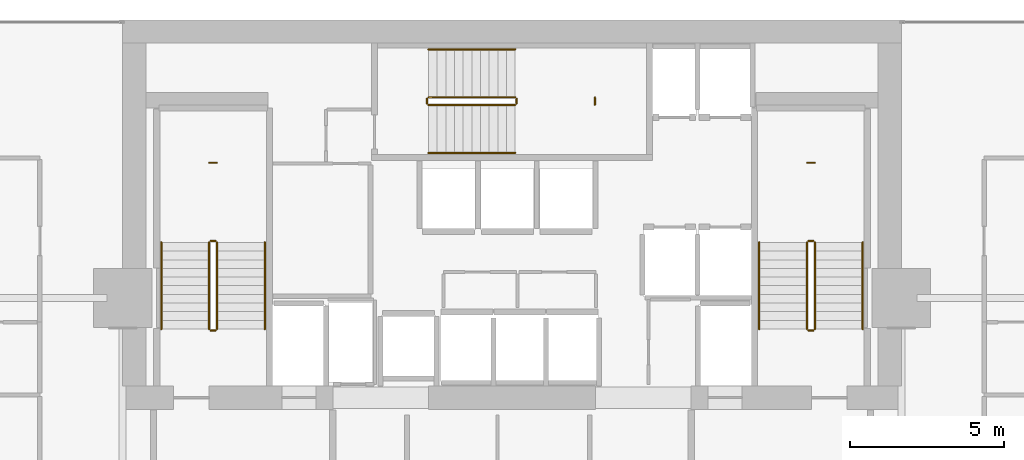
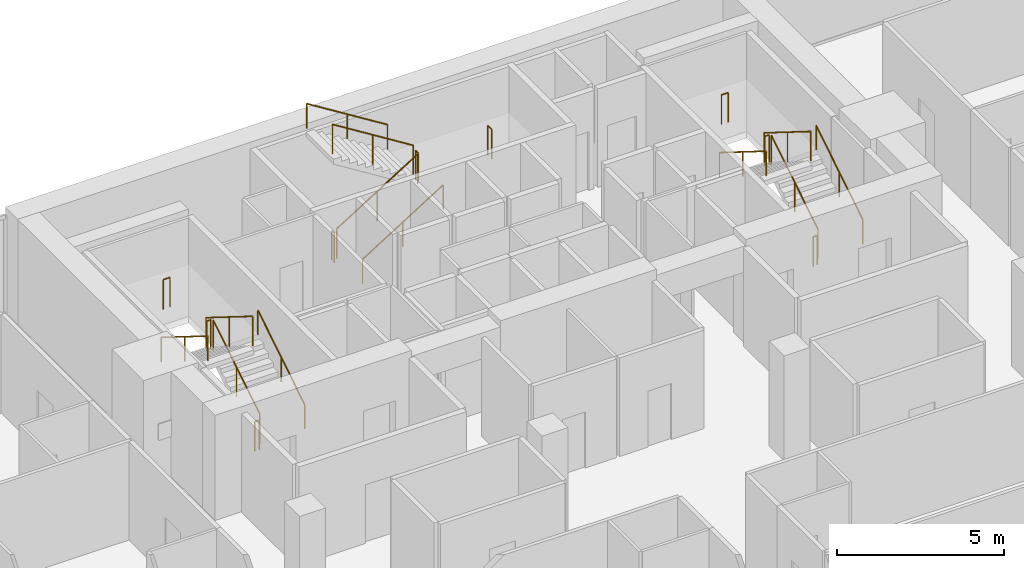
# One storey, part 34 of 34: 21 railings.
"""IFC4 building model written with IfcOpenShell, lengths in metres."""

from ifc_helpers import new_model, si_unit, direction, frame, origin, origin_2d, place, context, subcontext, project, spatial, circle, extrude, material, type_object, element, save


model = new_model("IFC4")

# Units and contexts
model_context = context("Model", 3, precision=1e-05, world=origin(), true_north=direction((0.0, 1.0)))
body_context = subcontext(model_context, "Body", "Model", "MODEL_VIEW")
ifc_project = project(units=[si_unit("LENGTHUNIT", "METRE"), si_unit("AREAUNIT", "SQUARE_METRE"), si_unit("VOLUMEUNIT", "CUBIC_METRE"), si_unit("PLANEANGLEUNIT", "RADIAN"), si_unit("MASSUNIT", "GRAM", prefix="KILO")], contexts=[model_context])

# Site, building, storey
site_placement = place(None, origin())
site = spatial("IfcSite", under=ifc_project, at=site_placement, CompositionType="ELEMENT")
building_placement = place(site_placement, origin())
building = spatial("IfcBuilding", under=site, at=building_placement, Name="Maruvema Waterfront Hotel and Observation Tower", CompositionType="ELEMENT")
storey_placement = place(building_placement, frame((0.0, 0.0, 146.64990234375)))
storey = spatial("IfcBuildingStorey", under=building, at=storey_placement, Name="L35", CompositionType="ELEMENT", Elevation=146.64990234375)

# Railings
ifc_material_1 = material(Name="Brushed stainless steel Grade 316", Category="steel")
railing_type_1 = type_object("IfcRailingType", Name="Ramp Continuous Wall Handrail 920 mm", PredefinedType="HANDRAIL", material=ifc_material_1)
railing_1_placement = place(storey_placement, frame((29.800048828125, 44.0, 0.175048828125)))
element("IfcRailing", 1, at=railing_1_placement, inside=storey, type_object=railing_type_1, Name="L35 ST-01 stair handrail 1", PredefinedType="HANDRAIL", context=body_context, shape_type="SweptSolid", body=[
    extrude(circle(Radius=0.02392578125, at=origin_2d()), frame((0.0, 0.0, 0.89599609375), z_axis=(0.0, 0.848002457836, 0.529992293815), x_axis=(-1.0, 0.0, 0.0)), (0.0, 0.0, 1.0), 3.302001953125),
    extrude(circle(Radius=0.02099609375, at=origin_2d()), origin(), (0.0, 0.0, 1.0), 0.871826171875),
    extrude(circle(Radius=0.02099609375, at=origin_2d()), frame((0.0, 1.39990234375, 0.875)), (0.0, 0.0, 1.0), 0.871826171875),
    extrude(circle(Radius=0.02099609375, at=origin_2d()), frame((0.0, 2.800048828125, 1.75)), (0.0, 0.0, 1.0), 0.871826171875),
])
railing_2_placement = place(storey_placement, frame((26.449951171875, 46.800048828125, 2.10009765625)))
element("IfcRailing", 2, at=railing_2_placement, inside=storey, type_object=railing_type_1, Name="L35 ST-01 stair handrail 2", PredefinedType="HANDRAIL", context=body_context, shape_type="SweptSolid", body=[
    extrude(circle(Radius=0.02392578125, at=origin_2d()), frame((0.0, 0.0, 0.89599609375), z_axis=(0.0, -0.848002457836, 0.529992293815), x_axis=(1.0, 0.0, 0.0)), (0.0, 0.0, 1.0), 3.302001953125),
    extrude(circle(Radius=0.02099609375, at=origin_2d()), origin(), (0.0, 0.0, 1.0), 0.871826171875),
    extrude(circle(Radius=0.02099609375, at=origin_2d()), frame((0.0, -1.39990234375, 0.875)), (0.0, 0.0, 1.0), 0.871826171875),
    extrude(circle(Radius=0.02099609375, at=origin_2d()), frame((0.0, -2.800048828125, 1.75)), (0.0, 0.0, 1.0), 0.871826171875),
])
railing_3_placement = place(storey_placement, frame((35.10009765625, 49.699951171875, 0.175048828125)))
element("IfcRailing", 3, at=railing_3_placement, inside=storey, type_object=railing_type_1, Name="L35 ST-02 stair handrail 1", PredefinedType="HANDRAIL", context=body_context, shape_type="SweptSolid", body=[
    extrude(circle(Radius=0.02392578125, at=origin_2d()), frame((0.0, 0.0, 0.89599609375), z_axis=(0.847981687118, 0.0, 0.530025526095), x_axis=(0.0, 1.0, 0.0)), (0.0, 0.0, 1.0), 3.3017578125),
    extrude(circle(Radius=0.02099609375, at=origin_2d()), origin(), (0.0, 0.0, 1.0), 0.871826171875),
    extrude(circle(Radius=0.02099609375, at=origin_2d()), frame((1.39990234375, 0.0, 0.875)), (0.0, 0.0, 1.0), 0.871826171875),
    extrude(circle(Radius=0.02099609375, at=origin_2d()), frame((2.7998046875, 0.0, 1.75)), (0.0, 0.0, 1.0), 0.871826171875),
])
railing_4_placement = place(storey_placement, frame((37.89990234375, 53.050048828125, 2.10009765625)))
element("IfcRailing", 4, at=railing_4_placement, inside=storey, type_object=railing_type_1, Name="L35 ST-02 stair handrail 2", PredefinedType="HANDRAIL", context=body_context, shape_type="SweptSolid", body=[
    extrude(circle(Radius=0.02392578125, at=origin_2d()), frame((0.0, 0.0, 0.89599609375), z_axis=(-0.847981687118, 0.0, 0.530025526095), x_axis=(0.0, -1.0, 0.0)), (0.0, 0.0, 1.0), 3.3017578125),
    extrude(circle(Radius=0.02099609375, at=origin_2d()), origin(), (0.0, 0.0, 1.0), 0.871826171875),
    extrude(circle(Radius=0.02099609375, at=origin_2d()), frame((-1.39990234375, 0.0, 0.875)), (0.0, 0.0, 1.0), 0.871826171875),
    extrude(circle(Radius=0.02099609375, at=origin_2d()), frame((-2.7998046875, 0.0, 1.75)), (0.0, 0.0, 1.0), 0.871826171875),
])
railing_5_placement = place(storey_placement, frame((49.14990234375, 44.0, 0.175048828125)))
element("IfcRailing", 5, at=railing_5_placement, inside=storey, type_object=railing_type_1, Name="L35 ST-03 stair handrail 1", PredefinedType="HANDRAIL", context=body_context, shape_type="SweptSolid", body=[
    extrude(circle(Radius=0.02392578125, at=origin_2d()), frame((0.0, 0.0, 0.89599609375), z_axis=(0.0, 0.848002457836, 0.529992293815), x_axis=(-1.0, 0.0, 0.0)), (0.0, 0.0, 1.0), 3.302001953125),
    extrude(circle(Radius=0.02099609375, at=origin_2d()), origin(), (0.0, 0.0, 1.0), 0.871826171875),
    extrude(circle(Radius=0.02099609375, at=origin_2d()), frame((0.0, 1.39990234375, 0.875)), (0.0, 0.0, 1.0), 0.871826171875),
    extrude(circle(Radius=0.02099609375, at=origin_2d()), frame((0.0, 2.800048828125, 1.75)), (0.0, 0.0, 1.0), 0.871826171875),
])
railing_6_placement = place(storey_placement, frame((45.800048828125, 46.800048828125, 2.10009765625)))
element("IfcRailing", 6, at=railing_6_placement, inside=storey, type_object=railing_type_1, Name="L35 ST-03 stair handrail 2", PredefinedType="HANDRAIL", context=body_context, shape_type="SweptSolid", body=[
    extrude(circle(Radius=0.02392578125, at=origin_2d()), frame((0.0, 0.0, 0.89599609375), z_axis=(0.0, -0.848002457836, 0.529992293815), x_axis=(1.0, 0.0, 0.0)), (0.0, 0.0, 1.0), 3.302001953125),
    extrude(circle(Radius=0.02099609375, at=origin_2d()), origin(), (0.0, 0.0, 1.0), 0.871826171875),
    extrude(circle(Radius=0.02099609375, at=origin_2d()), frame((0.0, -1.39990234375, 0.875)), (0.0, 0.0, 1.0), 0.871826171875),
    extrude(circle(Radius=0.02099609375, at=origin_2d()), frame((0.0, -2.800048828125, 1.75)), (0.0, 0.0, 1.0), 0.871826171875),
])
ifc_material_2 = material(Name="Brushed stainless steel Grade 316", Category="steel")
railing_type_2 = type_object("IfcRailingType", Name="Ramp and Terrace Guard Balustrade 1100 mm", PredefinedType="BALUSTRADE", material=ifc_material_2)
railing_7_placement = place(storey_placement, frame((28.25, 44.0, 0.175048828125)))
element("IfcRailing", 7, at=railing_7_placement, inside=storey, type_object=railing_type_2, Name="L35 ST-01 stair guard 1", PredefinedType="BALUSTRADE", context=body_context, shape_type="SweptSolid", body=[
    extrude(circle(Radius=0.02392578125, at=origin_2d()), frame((0.0, 0.0, 1.076171875), z_axis=(0.0, 0.848002457836, 0.529992293815), x_axis=(-1.0, 0.0, 0.0)), (0.0, 0.0, 1.0), 3.302001953125),
    extrude(circle(Radius=0.02099609375, at=origin_2d()), origin(), (0.0, 0.0, 1.0), 1.052001953125),
    extrude(circle(Radius=0.02099609375, at=origin_2d()), frame((0.0, 1.39990234375, 0.875)), (0.0, 0.0, 1.0), 1.052001953125),
    extrude(circle(Radius=0.02099609375, at=origin_2d()), frame((0.0, 2.800048828125, 1.75)), (0.0, 0.0, 1.0), 1.052001953125),
])
railing_8_placement = place(storey_placement, frame((28.199951171875, 46.85009765625, 1.925048828125)))
element("IfcRailing", 8, at=railing_8_placement, inside=storey, type_object=railing_type_2, Name="L35 ST-01 stair guard 2", PredefinedType="BALUSTRADE", context=body_context, shape_type="SweptSolid", body=[
    extrude(circle(Radius=0.02392578125, at=origin_2d()), frame((0.0, 0.0, 1.076171875), z_axis=(-1.0, 0.0, 0.0), x_axis=(0.0, -1.0, 0.0)), (0.0, 0.0, 1.0), 0.14990234375),
    extrude(circle(Radius=0.02099609375, at=origin_2d()), origin(), (0.0, 0.0, 1.0), 1.052001953125),
    extrude(circle(Radius=0.02099609375, at=origin_2d()), frame((-0.14990234375, 0.0, 0.0)), (0.0, 0.0, 1.0), 1.052001953125),
])
railing_9_placement = place(storey_placement, frame((28.0, 46.800048828125, 2.10009765625)))
element("IfcRailing", 9, at=railing_9_placement, inside=storey, type_object=railing_type_2, Name="L35 ST-01 stair guard 3", PredefinedType="BALUSTRADE", context=body_context, shape_type="SweptSolid", body=[
    extrude(circle(Radius=0.02392578125, at=origin_2d()), frame((0.0, 0.0, 1.076171875), z_axis=(0.0, -0.848002457836, 0.529992293815), x_axis=(1.0, 0.0, 0.0)), (0.0, 0.0, 1.0), 3.302001953125),
    extrude(circle(Radius=0.02099609375, at=origin_2d()), origin(), (0.0, 0.0, 1.0), 1.052001953125),
    extrude(circle(Radius=0.02099609375, at=origin_2d()), frame((0.0, -1.39990234375, 0.875)), (0.0, 0.0, 1.0), 1.052001953125),
    extrude(circle(Radius=0.02099609375, at=origin_2d()), frame((0.0, -2.800048828125, 1.75)), (0.0, 0.0, 1.0), 1.052001953125),
])
railing_10_placement = place(storey_placement, frame((28.199951171875, 43.949951171875, 0.0)))
element("IfcRailing", 10, at=railing_10_placement, inside=storey, type_object=railing_type_2, Name="L35 ST-01 stair guard 4", PredefinedType="BALUSTRADE", context=body_context, shape_type="SweptSolid", body=[
    extrude(circle(Radius=0.02392578125, at=origin_2d()), frame((0.0, 0.0, 1.076171875), z_axis=(-1.0, 0.0, 0.0), x_axis=(0.0, -1.0, 0.0)), (0.0, 0.0, 1.0), 0.14990234375),
    extrude(circle(Radius=0.02099609375, at=origin_2d()), origin(), (0.0, 0.0, 1.0), 1.052001953125),
    extrude(circle(Radius=0.02099609375, at=origin_2d()), frame((-0.14990234375, 0.0, 0.0)), (0.0, 0.0, 1.0), 1.052001953125),
])
railing_11_placement = place(storey_placement, frame((28.239990234375, 49.3798828125, 1.925048828125)))
element("IfcRailing", 11, at=railing_11_placement, inside=storey, type_object=railing_type_2, Name="L35 ST-01 Half-Landing Slot Guard", PredefinedType="BALUSTRADE", context=body_context, shape_type="SweptSolid", body=[
    extrude(circle(Radius=0.02392578125, at=origin_2d()), frame((0.0, 0.0, 1.076171875), z_axis=(-1.0, 0.0, 0.0), x_axis=(0.0, -1.0, 0.0)), (0.0, 0.0, 1.0), 0.22998046875),
    extrude(circle(Radius=0.02099609375, at=origin_2d()), origin(), (0.0, 0.0, 1.0), 1.052001953125),
    extrude(circle(Radius=0.02099609375, at=origin_2d()), frame((-0.22998046875, 0.0, 0.0)), (0.0, 0.0, 1.0), 1.052001953125),
])
railing_12_placement = place(storey_placement, frame((35.10009765625, 51.25, 0.175048828125)))
element("IfcRailing", 12, at=railing_12_placement, inside=storey, type_object=railing_type_2, Name="L35 ST-02 stair guard 1", PredefinedType="BALUSTRADE", context=body_context, shape_type="SweptSolid", body=[
    extrude(circle(Radius=0.02392578125, at=origin_2d()), frame((0.0, 0.0, 1.076171875), z_axis=(0.847981687118, 0.0, 0.530025526095), x_axis=(0.0, 1.0, 0.0)), (0.0, 0.0, 1.0), 3.3017578125),
    extrude(circle(Radius=0.02099609375, at=origin_2d()), origin(), (0.0, 0.0, 1.0), 1.052001953125),
    extrude(circle(Radius=0.02099609375, at=origin_2d()), frame((1.39990234375, 0.0, 0.875)), (0.0, 0.0, 1.0), 1.052001953125),
    extrude(circle(Radius=0.02099609375, at=origin_2d()), frame((2.7998046875, 0.0, 1.75)), (0.0, 0.0, 1.0), 1.052001953125),
])
railing_13_placement = place(storey_placement, frame((37.949951171875, 51.300048828125, 1.925048828125)))
element("IfcRailing", 13, at=railing_13_placement, inside=storey, type_object=railing_type_2, Name="L35 ST-02 stair guard 2", PredefinedType="BALUSTRADE", context=body_context, shape_type="SweptSolid", body=[
    extrude(circle(Radius=0.02392578125, at=origin_2d()), frame((0.0, 0.0, 1.076171875), z_axis=(0.0, 1.0, 0.0), x_axis=(-1.0, 0.0, 0.0)), (0.0, 0.0, 1.0), 0.14990234375),
    extrude(circle(Radius=0.02099609375, at=origin_2d()), origin(), (0.0, 0.0, 1.0), 1.052001953125),
    extrude(circle(Radius=0.02099609375, at=origin_2d()), frame((0.0, 0.14990234375, 0.0)), (0.0, 0.0, 1.0), 1.052001953125),
])
railing_14_placement = place(storey_placement, frame((37.89990234375, 51.5, 2.10009765625)))
element("IfcRailing", 14, at=railing_14_placement, inside=storey, type_object=railing_type_2, Name="L35 ST-02 stair guard 3", PredefinedType="BALUSTRADE", context=body_context, shape_type="SweptSolid", body=[
    extrude(circle(Radius=0.02392578125, at=origin_2d()), frame((0.0, 0.0, 1.076171875), z_axis=(-0.847981687118, 0.0, 0.530025526095), x_axis=(0.0, -1.0, 0.0)), (0.0, 0.0, 1.0), 3.3017578125),
    extrude(circle(Radius=0.02099609375, at=origin_2d()), origin(), (0.0, 0.0, 1.0), 1.052001953125),
    extrude(circle(Radius=0.02099609375, at=origin_2d()), frame((-1.39990234375, 0.0, 0.875)), (0.0, 0.0, 1.0), 1.052001953125),
    extrude(circle(Radius=0.02099609375, at=origin_2d()), frame((-2.7998046875, 0.0, 1.75)), (0.0, 0.0, 1.0), 1.052001953125),
])
railing_15_placement = place(storey_placement, frame((35.050048828125, 51.300048828125, 0.0)))
element("IfcRailing", 15, at=railing_15_placement, inside=storey, type_object=railing_type_2, Name="L35 ST-02 stair guard 4", PredefinedType="BALUSTRADE", context=body_context, shape_type="SweptSolid", body=[
    extrude(circle(Radius=0.02392578125, at=origin_2d()), frame((0.0, 0.0, 1.076171875), z_axis=(0.0, 1.0, 0.0), x_axis=(-1.0, 0.0, 0.0)), (0.0, 0.0, 1.0), 0.14990234375),
    extrude(circle(Radius=0.02099609375, at=origin_2d()), origin(), (0.0, 0.0, 1.0), 1.052001953125),
    extrude(circle(Radius=0.02099609375, at=origin_2d()), frame((0.0, 0.14990234375, 0.0)), (0.0, 0.0, 1.0), 1.052001953125),
])
railing_16_placement = place(storey_placement, frame((40.47998046875, 51.260009765625, 1.925048828125)))
element("IfcRailing", 16, at=railing_16_placement, inside=storey, type_object=railing_type_2, Name="L35 ST-02 Half-Landing Slot Guard", PredefinedType="BALUSTRADE", context=body_context, shape_type="SweptSolid", body=[
    extrude(circle(Radius=0.02392578125, at=origin_2d()), frame((0.0, 0.0, 1.076171875), z_axis=(0.0, 1.0, 0.0), x_axis=(-1.0, 0.0, 0.0)), (0.0, 0.0, 1.0), 0.22998046875),
    extrude(circle(Radius=0.02099609375, at=origin_2d()), origin(), (0.0, 0.0, 1.0), 1.052001953125),
    extrude(circle(Radius=0.02099609375, at=origin_2d()), frame((0.0, 0.22998046875, 0.0)), (0.0, 0.0, 1.0), 1.052001953125),
])
railing_17_placement = place(storey_placement, frame((47.60009765625, 44.0, 0.175048828125)))
element("IfcRailing", 17, at=railing_17_placement, inside=storey, type_object=railing_type_2, Name="L35 ST-03 stair guard 1", PredefinedType="BALUSTRADE", context=body_context, shape_type="SweptSolid", body=[
    extrude(circle(Radius=0.02392578125, at=origin_2d()), frame((0.0, 0.0, 1.076171875), z_axis=(0.0, 0.848002457836, 0.529992293815), x_axis=(-1.0, 0.0, 0.0)), (0.0, 0.0, 1.0), 3.302001953125),
    extrude(circle(Radius=0.02099609375, at=origin_2d()), origin(), (0.0, 0.0, 1.0), 1.052001953125),
    extrude(circle(Radius=0.02099609375, at=origin_2d()), frame((0.0, 1.39990234375, 0.875)), (0.0, 0.0, 1.0), 1.052001953125),
    extrude(circle(Radius=0.02099609375, at=origin_2d()), frame((0.0, 2.800048828125, 1.75)), (0.0, 0.0, 1.0), 1.052001953125),
])
railing_18_placement = place(storey_placement, frame((47.550048828125, 46.85009765625, 1.925048828125)))
element("IfcRailing", 18, at=railing_18_placement, inside=storey, type_object=railing_type_2, Name="L35 ST-03 stair guard 2", PredefinedType="BALUSTRADE", context=body_context, shape_type="SweptSolid", body=[
    extrude(circle(Radius=0.02392578125, at=origin_2d()), frame((0.0, 0.0, 1.076171875), z_axis=(-1.0, 0.0, 0.0), x_axis=(0.0, -1.0, 0.0)), (0.0, 0.0, 1.0), 0.150146484375),
    extrude(circle(Radius=0.02099609375, at=origin_2d()), origin(), (0.0, 0.0, 1.0), 1.052001953125),
    extrude(circle(Radius=0.02099609375, at=origin_2d()), frame((-0.150146484375, 0.0, 0.0)), (0.0, 0.0, 1.0), 1.052001953125),
])
railing_19_placement = place(storey_placement, frame((47.35009765625, 46.800048828125, 2.10009765625)))
element("IfcRailing", 19, at=railing_19_placement, inside=storey, type_object=railing_type_2, Name="L35 ST-03 stair guard 3", PredefinedType="BALUSTRADE", context=body_context, shape_type="SweptSolid", body=[
    extrude(circle(Radius=0.02392578125, at=origin_2d()), frame((0.0, 0.0, 1.076171875), z_axis=(0.0, -0.848002457836, 0.529992293815), x_axis=(1.0, 0.0, 0.0)), (0.0, 0.0, 1.0), 3.302001953125),
    extrude(circle(Radius=0.02099609375, at=origin_2d()), origin(), (0.0, 0.0, 1.0), 1.052001953125),
    extrude(circle(Radius=0.02099609375, at=origin_2d()), frame((0.0, -1.39990234375, 0.875)), (0.0, 0.0, 1.0), 1.052001953125),
    extrude(circle(Radius=0.02099609375, at=origin_2d()), frame((0.0, -2.800048828125, 1.75)), (0.0, 0.0, 1.0), 1.052001953125),
])
railing_20_placement = place(storey_placement, frame((47.550048828125, 43.949951171875, 0.0)))
element("IfcRailing", 20, at=railing_20_placement, inside=storey, type_object=railing_type_2, Name="L35 ST-03 stair guard 4", PredefinedType="BALUSTRADE", context=body_context, shape_type="SweptSolid", body=[
    extrude(circle(Radius=0.02392578125, at=origin_2d()), frame((0.0, 0.0, 1.076171875), z_axis=(-1.0, 0.0, 0.0), x_axis=(0.0, -1.0, 0.0)), (0.0, 0.0, 1.0), 0.150146484375),
    extrude(circle(Radius=0.02099609375, at=origin_2d()), origin(), (0.0, 0.0, 1.0), 1.052001953125),
    extrude(circle(Radius=0.02099609375, at=origin_2d()), frame((-0.150146484375, 0.0, 0.0)), (0.0, 0.0, 1.0), 1.052001953125),
])
railing_21_placement = place(storey_placement, frame((47.590087890625, 49.3798828125, 1.925048828125)))
element("IfcRailing", 21, at=railing_21_placement, inside=storey, type_object=railing_type_2, Name="L35 ST-03 Half-Landing Slot Guard", PredefinedType="BALUSTRADE", context=body_context, shape_type="SweptSolid", body=[
    extrude(circle(Radius=0.02392578125, at=origin_2d()), frame((0.0, 0.0, 1.076171875), z_axis=(-1.0, 0.0, 0.0), x_axis=(0.0, -1.0, 0.0)), (0.0, 0.0, 1.0), 0.22998046875),
    extrude(circle(Radius=0.02099609375, at=origin_2d()), origin(), (0.0, 0.0, 1.0), 1.052001953125),
    extrude(circle(Radius=0.02099609375, at=origin_2d()), frame((-0.22998046875, 0.0, 0.0)), (0.0, 0.0, 1.0), 1.052001953125),
])

save(model, "model.ifc")
